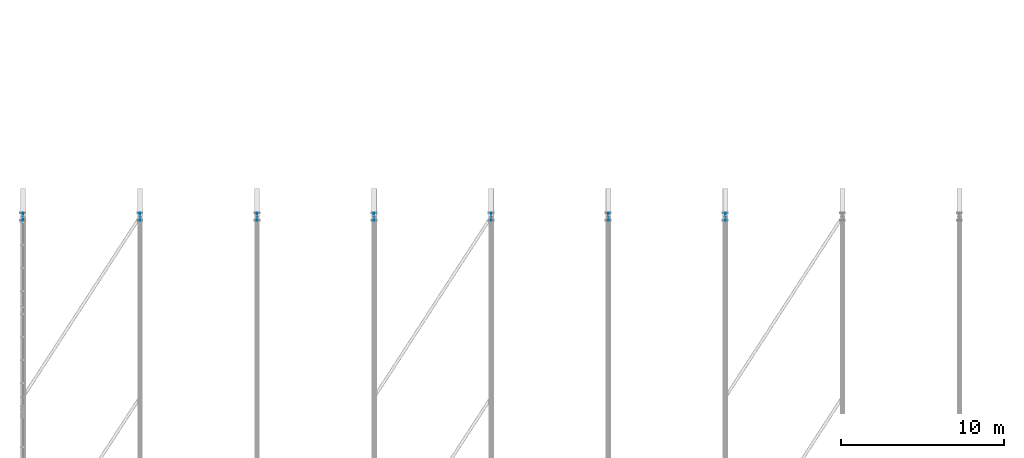
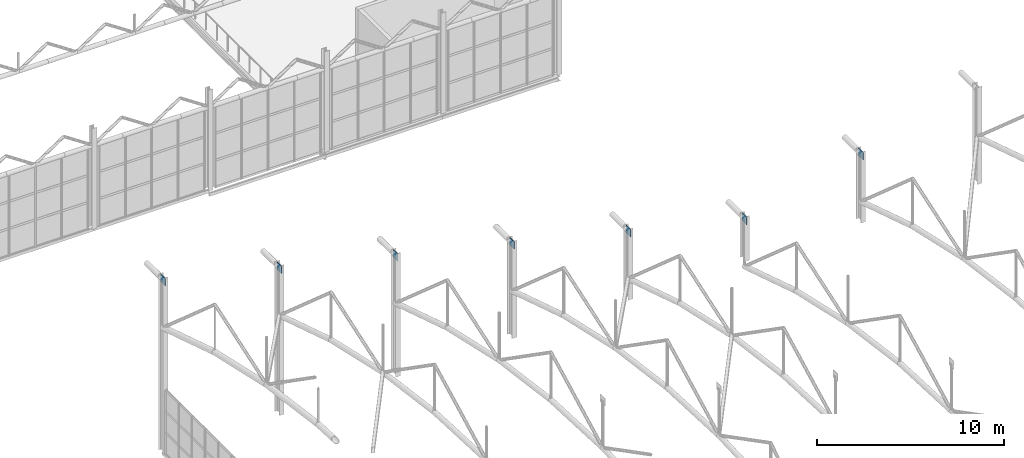
# One storey, part 133 of 153: 7 plates.
"""IFC4 building model written with IfcOpenShell, lengths in metres."""

from ifc_helpers import new_model, si_unit, derived_unit, direction, frame, origin, origin_2d, place, context, subcontext, project, spatial, rectangle, extrude, material, layer, layer_set, type_object, element, save


model = new_model("IFC4")

# Units and contexts
model_context = context("Model", 3, precision=1e-05, world=origin(), true_north=direction((0.0, 1.0)))
body_context = subcontext(model_context, "Body", "Model", "MODEL_VIEW")
ifc_project = project(units=[si_unit("LENGTHUNIT", "METRE"), si_unit("AREAUNIT", "SQUARE_METRE"), si_unit("VOLUMEUNIT", "CUBIC_METRE"), si_unit("PLANEANGLEUNIT", "RADIAN"), si_unit("MASSUNIT", "GRAM", prefix="KILO"), derived_unit("THERMALTRANSMITTANCEUNIT", [(si_unit("POWERUNIT", "WATT"), 1), (si_unit("LENGTHUNIT", "METRE"), -2), (si_unit("THERMODYNAMICTEMPERATUREUNIT", "KELVIN"), -1)])], contexts=[model_context])

# Site, building, storey
site_placement = place(None, origin())
site = spatial("IfcSite", under=ifc_project, at=site_placement, CompositionType="ELEMENT")
building_placement = place(site_placement, origin())
building = spatial("IfcBuilding", under=site, at=building_placement, Name="Keldorne Ridge Multi-Sports Centre", CompositionType="ELEMENT")
storey_placement = place(building_placement, frame((0.0, 0.0, 9.60009765625)))
storey = spatial("IfcBuildingStorey", under=building, at=storey_placement, Name="L02", CompositionType="ELEMENT", Elevation=9.60009765625)

# Plates
ifc_material = material(Name="Steel S355", Category="steel")
ifc_layer = layer(ifc_material, 0.02490234375)
ifc_layer_set = layer_set([ifc_layer], Name="Steel S355")
plate_type = type_object("IfcPlateType", Name="PLT-PL-GS1", PredefinedType="USERDEFINED", material=ifc_layer_set)
for number, where, z_axis, x_axis, name in (
    (1, (6.0, 54.0, 10.969970703125), (0.0, 0.0, 1.0), (1.0, 0.0, 0.0), "Truss node gusset plate TN-003"),
    (2, (13.199951171875, 54.0, 9.25), (0.0, 0.0, 1.0), (1.0, 0.0, 0.0), "Truss node gusset plate TN-006"),
    (3, (20.39990234375, 54.0, 7.52978515625), (0.0, 0.0, 1.0), (1.0, 0.0, 0.0), "Truss node gusset plate TN-009"),
    (4, (27.60009765625, 54.0, 5.809814453125), (0.0, 0.0, 1.0), (1.0, 0.0, 0.0), "Truss node gusset plate TN-012"),
    (5, (34.800048828125, 54.0, 4.08984375), (0.0, 0.0, 1.0), (1.0, 0.0, 0.0), "Truss node gusset plate TN-015"),
    (6, (42.0, 54.0, 2.369873046875), (0.0, 0.0, 1.0), (1.0, 0.0, 0.0), "Truss node gusset plate TN-018"),
    (7, (49.199951171875, 54.0, 4.08984375), (0.0, 0.0, 1.0), (1.0, 0.0, 0.0), "Truss node gusset plate TN-021"),
):
    element("IfcPlate", number, at=place(storey_placement, frame(where, z_axis=z_axis, x_axis=x_axis)), inside=storey, type_object=plate_type, Name=name, ObjectType="GUSSET PLATE", PredefinedType="USERDEFINED", context=body_context, shape_type="SweptSolid", body=[
        extrude(rectangle(XDim=0.02490234375, YDim=0.5, at=origin_2d()), origin(), (0.0, 0.0, 1.0), 0.5),
    ])

save(model, "model.ifc")
